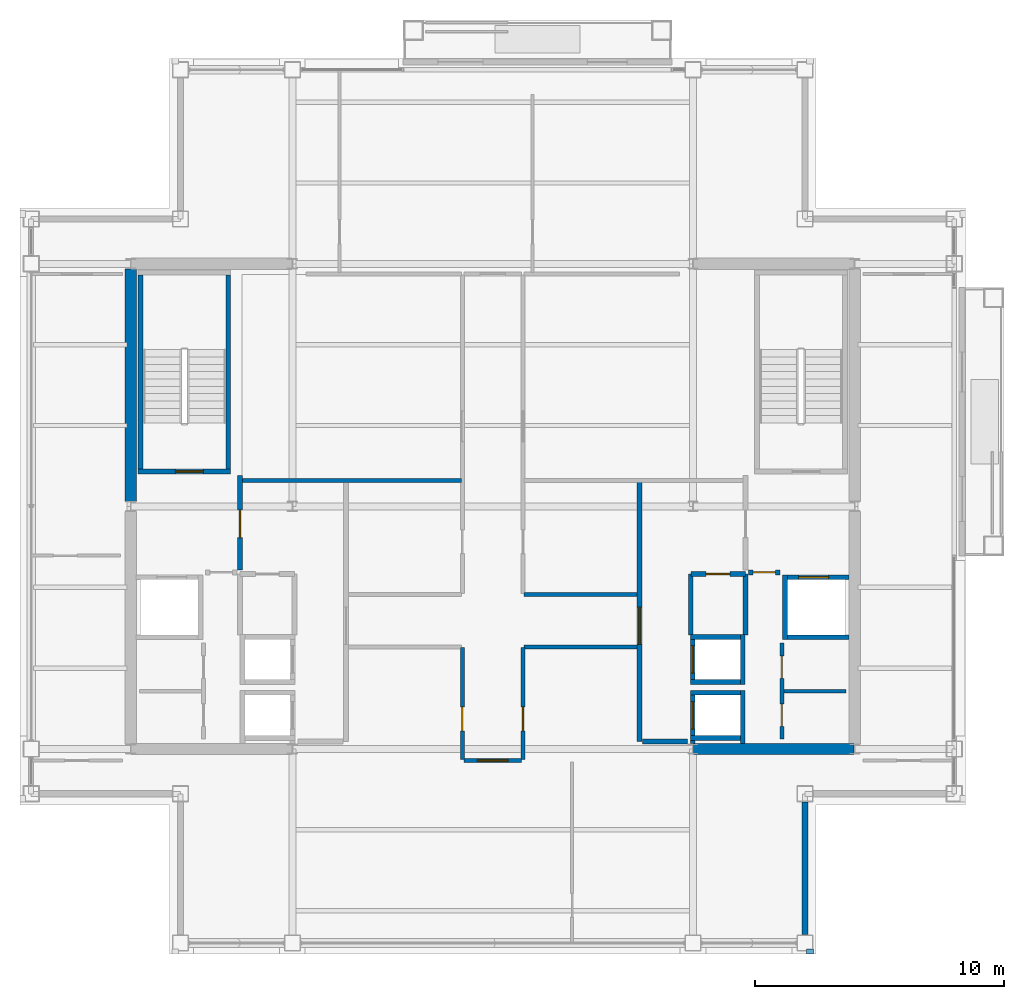
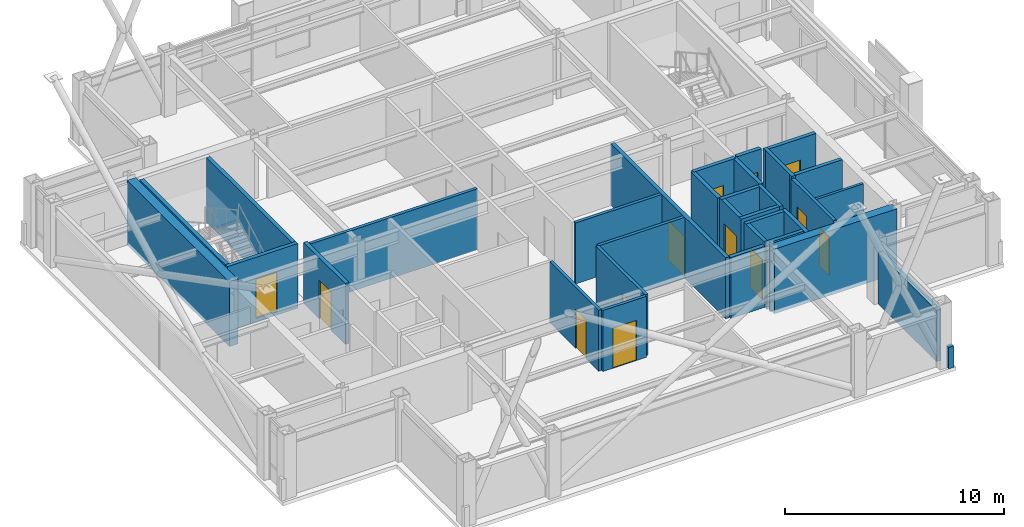
# One storey, part 24 of 28: 33 walls, 13 doors, 13 openings.
"""IFC4 building model written with IfcOpenShell, lengths in metres."""

from ifc_helpers import new_model, si_unit, direction, frame, frame_2d, origin, place, context, subcontext, project, spatial, rectangle, extrude, material, layer, layer_set, type_object, element, fill, save


model = new_model("IFC4")

# Units and contexts
model_context = context("Model", 3, precision=1e-05, world=origin(), true_north=direction((0.0, 1.0)))
body_context = subcontext(model_context, "Body", "Model", "MODEL_VIEW")
ifc_project = project(units=[si_unit("LENGTHUNIT", "METRE"), si_unit("AREAUNIT", "SQUARE_METRE"), si_unit("VOLUMEUNIT", "CUBIC_METRE"), si_unit("PLANEANGLEUNIT", "RADIAN"), si_unit("MASSUNIT", "GRAM", prefix="KILO")], contexts=[model_context])

# Site, building, storey
site_placement = place(None, origin())
site = spatial("IfcSite", under=ifc_project, at=site_placement, CompositionType="ELEMENT")
building_placement = place(site_placement, origin())
building = spatial("IfcBuilding", under=site, at=building_placement, Name="Brelmoor Portico Tower", CompositionType="ELEMENT")
storey_placement = place(building_placement, frame((0.0, 0.0, 225.60009765625)))
storey = spatial("IfcBuildingStorey", under=building, at=storey_placement, Name="L59", CompositionType="ELEMENT", Elevation=225.60009765625)

# Walls
ifc_material_1 = material(Name="Concrete C50", Category="concrete")
ifc_layer_1 = layer(ifc_material_1, 0.449951171875)
ifc_layer_set_1 = layer_set([ifc_layer_1], Name="Concrete C50")
wall_type_1 = type_object("IfcWallType", Name="WL-CORE-450", PredefinedType="SHEAR", material=ifc_layer_set_1)
wall_1_placement = place(storey_placement, frame((-14.550048828125, 0.199951171875, -0.2001953125), z_axis=(0.0, 0.0, 1.0), x_axis=(0.0, 1.0, 0.0)))
element("IfcWall", 1, at=wall_1_placement, inside=storey, type_object=wall_type_1, Name="L59 WC Outer North Shear Wall", PredefinedType="SHEAR", context=body_context, shape_type="SweptSolid", body=[
    extrude(rectangle(XDim=9.35009765625, YDim=0.449951171875, at=frame_2d((4.675048828125, 0.0))), origin(), (0.0, 0.0, 1.0), 3.60009765625),
])
wall_2_placement = place(storey_placement, frame((8.070068359375, -9.75, -0.2001953125), z_axis=(0.0, 0.0, 1.0), x_axis=(1.0, 0.0, 0.0)))
element("IfcWall", 2, at=wall_2_placement, inside=storey, type_object=wall_type_1, Name="L59 EC South Shear Wall", PredefinedType="SHEAR", context=body_context, shape_type="SweptSolid", body=[
    extrude(rectangle(XDim=6.4599609375, YDim=0.449951171875, at=frame_2d((3.22998046875, 0.0))), origin(), (0.0, 0.0, 1.0), 3.60009765625),
])
ifc_material_2 = material(Name="Precast Concrete C40 Insulated Facade Wall", Category="concrete")
ifc_layer_2 = layer(ifc_material_2, 0.25)
ifc_layer_set_2 = layer_set([ifc_layer_2], Name="Precast Concrete C40 Insulated Facade Wall")
wall_type_2 = type_object("IfcWallType", Name="WL-EXT-250", PredefinedType="STANDARD", material=ifc_layer_set_2)
wall_3_placement = place(storey_placement, frame((12.550048828125, -17.215087890625, 0.0), z_axis=(0.0, 0.0, 1.0), x_axis=(0.0, 1.0, 0.0)))
element("IfcWall", 3, at=wall_3_placement, inside=storey, type_object=wall_type_2, Name="L59 Corner Notch Facade Wall NSEV1", PredefinedType="STANDARD", context=body_context, shape_type="SweptSolid", body=[
    extrude(rectangle(XDim=5.330078125, YDim=0.25, at=frame_2d((2.6650390625, 0.0))), origin(), (0.0, 0.0, 1.0), 2.849853515625),
])
ifc_material_3 = material(Name="Concrete C40 Parapet Upstand", Category="concrete")
ifc_layer_3 = layer(ifc_material_3, 0.219970703125)
ifc_layer_set_3 = layer_set([ifc_layer_3], Name="Concrete C40 Parapet Upstand")
wall_type_3 = type_object("IfcWallType", Name="WL-PARAPET-220", PredefinedType="PARAPET", material=ifc_layer_set_3)
wall_4_placement = place(storey_placement, frame((12.6201171875, -17.889892578125, 0.0), z_axis=(0.0, 0.0, 1.0), x_axis=(1.0, 0.0, 0.0)))
element("IfcWall", 4, at=wall_4_placement, inside=storey, type_object=wall_type_3, Name="L59 Chamfer Vertex Parapet Pier SE1", PredefinedType="PARAPET", context=body_context, shape_type="SweptSolid", body=[
    extrude(rectangle(XDim=0.269775390625, YDim=0.219970703125, at=frame_2d((0.134765625, 0.0))), origin(), (0.0, 0.0, 1.0), 1.199951171875),
])
ifc_material_4 = material(Name="Insulated Stud Suite Partition", Category="gypsum")
ifc_layer_4 = layer(ifc_material_4, 0.139892578125)
ifc_layer_set_4 = layer_set([ifc_layer_4], Name="Insulated Stud Suite Partition")
wall_type_4 = type_object("IfcWallType", Name="WL-PART-140", PredefinedType="PARTITIONING", material=ifc_layer_set_4)
wall_5_placement = place(storey_placement, frame((11.699951171875, -7.425048828125, 0.0), z_axis=(0.0, 0.0, 1.0), x_axis=(1.0, 0.0, 0.0)))
element("IfcWall", 5, at=wall_5_placement, inside=storey, type_object=wall_type_4, Name="L59 E Core WC Divider 1", PredefinedType="PARTITIONING", context=body_context, shape_type="SweptSolid", body=[
    extrude(rectangle(XDim=2.5, YDim=0.139892578125, at=frame_2d((1.25, 0.0))), origin(), (0.0, 0.0, 1.0), 3.39990234375),
])

# Wall, openings, doors
ifc_material_5 = material(Name="Twin-Frame Acoustic Partition", Category="gypsum")
ifc_layer_5 = layer(ifc_material_5, 0.159912109375)
ifc_layer_set_5 = layer_set([ifc_layer_5], Name="Twin-Frame Acoustic Partition")
wall_type_5 = type_object("IfcWallType", Name="WL-PART-160", PredefinedType="PARTITIONING", material=ifc_layer_set_5)
wall_6_placement = place(storey_placement, frame((11.6201171875, -9.35009765625, 0.0), z_axis=(0.0, 0.0, 1.0), x_axis=(0.0, 1.0, 0.0)))
wall_6 = element("IfcWall", 6, at=wall_6_placement, inside=storey, type_object=wall_type_5, Name="L59 E Core Service Front Wall", PredefinedType="PARTITIONING", context=body_context, shape_type="SweptSolid", body=[
    extrude(rectangle(XDim=3.85009765625, YDim=0.159912109375, at=frame_2d((1.925048828125, 0.0))), origin(), (0.0, 0.0, 1.0), 3.39990234375),
])
opening_1_placement = place(wall_6_placement, frame((0.512451171875, 0.0, 0.0)))
opening_1 = element("IfcOpeningElement", 7, at=opening_1_placement, cuts=wall_6, Name="Opening D-IN1", PredefinedType="OPENING", context=body_context, shape_type="SweptSolid", body=[
    extrude(rectangle(XDim=0.89990234375, YDim=2.14990234375, at=frame_2d((0.449951171875, 1.074951171875))), frame((0.0, 0.08984375, 0.0), z_axis=(0.0, -1.0, 0.0), x_axis=(1.0, 0.0, 0.0)), (0.0, 0.0, 1.0), 0.179931640625),
])
opening_2_placement = place(wall_6_placement, frame((2.4375, 0.0, 0.0)))
opening_2 = element("IfcOpeningElement", 8, at=opening_2_placement, cuts=wall_6, Name="Opening D-IN1", PredefinedType="OPENING", context=body_context, shape_type="SweptSolid", body=[
    extrude(rectangle(XDim=0.89990234375, YDim=2.14990234375, at=frame_2d((0.449951171875, 1.074951171875))), frame((0.0, 0.08984375, 0.0), z_axis=(0.0, -1.0, 0.0), x_axis=(1.0, 0.0, 0.0)), (0.0, 0.0, 1.0), 0.179931640625),
])
ifc_material_6 = material(Name="Lacquered Timber Suite Door", Category="wood")
door_type_1 = type_object("IfcDoorType", Name="DR-INT-900", OperationType="NOTDEFINED", PredefinedType="DOOR", material=ifc_material_6)
door_1_placement = place(opening_1_placement, origin())
door_1 = element("IfcDoor", 9, at=door_1_placement, inside=storey, type_object=door_type_1, Name="D-2440 L59 E Male WC Door", OperationType="SINGLE_SWING_LEFT", OverallHeight=2.14990234375, OverallWidth=0.89990234375, PredefinedType="DOOR", context=body_context, shape_type="SweptSolid", body=[
    extrude(rectangle(XDim=0.89990234375, YDim=2.14990234375, at=frame_2d((0.449951171875, 1.074951171875))), frame((0.0, 0.02490234375, 0.0), z_axis=(0.0, -1.0, 0.0), x_axis=(1.0, 0.0, 0.0)), (0.0, 0.0, 1.0), 0.050048828125),
])
fill(opening_1, door_1)
door_2_placement = place(opening_2_placement, origin())
door_2 = element("IfcDoor", 10, at=door_2_placement, inside=storey, type_object=door_type_1, Name="D-2441 L59 E Female WC Door", OperationType="SINGLE_SWING_RIGHT", OverallHeight=2.14990234375, OverallWidth=0.89990234375, PredefinedType="DOOR", context=body_context, shape_type="SweptSolid", body=[
    extrude(rectangle(XDim=0.89990234375, YDim=2.14990234375, at=frame_2d((0.449951171875, 1.074951171875))), frame((0.0, 0.02490234375, 0.0), z_axis=(0.0, -1.0, 0.0), x_axis=(1.0, 0.0, 0.0)), (0.0, 0.0, 1.0), 0.050048828125),
])
fill(opening_2, door_2)

# Walls
wall_7_placement = place(storey_placement, frame((-10.050048828125, 1.050048828125, 0.0), z_axis=(0.0, 0.0, 1.0), x_axis=(1.0, 0.0, 0.0)))
element("IfcWall", 11, at=wall_7_placement, inside=storey, type_object=wall_type_5, Name="L59 West Reclaimed Suite South Wall", PredefinedType="PARTITIONING", context=body_context, shape_type="SweptSolid", body=[
    extrude(rectangle(XDim=8.7900390625, YDim=0.159912109375, at=frame_2d((4.39501953125, 0.0))), origin(), (0.0, 0.0, 1.0), 3.39990234375),
])
wall_8_placement = place(storey_placement, frame((1.260009765625, -3.550048828125, 0.0), z_axis=(0.0, 0.0, 1.0), x_axis=(1.0, 0.0, 0.0)))
element("IfcWall", 12, at=wall_8_placement, inside=storey, type_object=wall_type_5, Name="L59 East Office South Wall", PredefinedType="PARTITIONING", context=body_context, shape_type="SweptSolid", body=[
    extrude(rectangle(XDim=4.5400390625, YDim=0.159912109375, at=frame_2d((2.27001953125, 0.0))), origin(), (0.0, 0.0, 1.0), 3.39990234375),
])

# Wall, opening, door
wall_9_placement = place(storey_placement, frame((-1.219970703125, -10.169921875, 0.0), z_axis=(0.0, 0.0, 1.0), x_axis=(0.0, 1.0, 0.0)))
wall_9 = element("IfcWall", 13, at=wall_9_placement, inside=storey, type_object=wall_type_5, Name="L59 South Cross West Wall", PredefinedType="PARTITIONING", context=body_context, shape_type="SweptSolid", body=[
    extrude(rectangle(XDim=4.489990234375, YDim=0.159912109375, at=frame_2d((2.2451171875, 0.0))), origin(), (0.0, 0.0, 1.0), 3.39990234375),
])
opening_3_placement = place(wall_9_placement, frame((1.14990234375, 0.0, 0.0)))
opening_3 = element("IfcOpeningElement", 14, at=opening_3_placement, cuts=wall_9, Name="Opening D-IN2", PredefinedType="OPENING", context=body_context, shape_type="SweptSolid", body=[
    extrude(rectangle(XDim=0.9599609375, YDim=2.179931640625, at=frame_2d((0.47998046875, 1.08984375))), frame((0.0, 0.08984375, 0.0), z_axis=(0.0, -1.0, 0.0), x_axis=(1.0, 0.0, 0.0)), (0.0, 0.0, 1.0), 0.179931640625),
])
door_type_2 = type_object("IfcDoorType", Name="DR-INT-950", OperationType="NOTDEFINED", PredefinedType="DOOR", material=ifc_material_6)
door_3_placement = place(opening_3_placement, origin())
door_3 = element("IfcDoor", 15, at=door_3_placement, inside=storey, type_object=door_type_2, Name="D-2437 L59 South-West Archive Room Door", OperationType="SINGLE_SWING_LEFT", OverallHeight=2.179931640625, OverallWidth=0.9599609375, PredefinedType="DOOR", context=body_context, shape_type="SweptSolid", body=[
    extrude(rectangle(XDim=0.9599609375, YDim=2.179931640625, at=frame_2d((0.47998046875, 1.08984375))), frame((0.0, 0.02490234375, 0.0), z_axis=(0.0, -1.0, 0.0), x_axis=(1.0, 0.0, 0.0)), (0.0, 0.0, 1.0), 0.050048828125),
])
fill(opening_3, door_3)

wall_10_placement = place(storey_placement, frame((1.219970703125, -10.169921875, 0.0), z_axis=(0.0, 0.0, 1.0), x_axis=(0.0, 1.0, 0.0)))
wall_10 = element("IfcWall", 16, at=wall_10_placement, inside=storey, type_object=wall_type_5, Name="L59 South Cross East Wall", PredefinedType="PARTITIONING", context=body_context, shape_type="SweptSolid", body=[
    extrude(rectangle(XDim=4.489990234375, YDim=0.159912109375, at=frame_2d((2.2451171875, 0.0))), origin(), (0.0, 0.0, 1.0), 3.39990234375),
])
opening_4_placement = place(wall_10_placement, frame((1.14990234375, 0.0, 0.0)))
opening_4 = element("IfcOpeningElement", 17, at=opening_4_placement, cuts=wall_10, Name="Opening D-IN2", PredefinedType="OPENING", context=body_context, shape_type="SweptSolid", body=[
    extrude(rectangle(XDim=0.9599609375, YDim=2.179931640625, at=frame_2d((0.47998046875, 1.08984375))), frame((0.0, 0.08984375, 0.0), z_axis=(0.0, -1.0, 0.0), x_axis=(1.0, 0.0, 0.0)), (0.0, 0.0, 1.0), 0.179931640625),
])
door_4_placement = place(opening_4_placement, origin())
door_4 = element("IfcDoor", 18, at=door_4_placement, inside=storey, type_object=door_type_2, Name="D-2436 L59 South-East Partner Office Door", OperationType="SINGLE_SWING_RIGHT", OverallHeight=2.179931640625, OverallWidth=0.9599609375, PredefinedType="DOOR", context=body_context, shape_type="SweptSolid", body=[
    extrude(rectangle(XDim=0.9599609375, YDim=2.179931640625, at=frame_2d((0.47998046875, 1.08984375))), frame((0.0, 0.02490234375, 0.0), z_axis=(0.0, -1.0, 0.0), x_axis=(1.0, 0.0, 0.0)), (0.0, 0.0, 1.0), 0.050048828125),
])
fill(opening_4, door_4)

# Wall
wall_11_placement = place(storey_placement, frame((1.260009765625, -5.64990234375, 0.0), z_axis=(0.0, 0.0, 1.0), x_axis=(1.0, 0.0, 0.0)))
element("IfcWall", 19, at=wall_11_placement, inside=storey, type_object=wall_type_5, Name="L59 South-East Chamber Top Wall", PredefinedType="PARTITIONING", context=body_context, shape_type="SweptSolid", body=[
    extrude(rectangle(XDim=4.5400390625, YDim=0.159912109375, at=frame_2d((2.27001953125, 0.0))), origin(), (0.0, 0.0, 1.0), 3.39990234375),
])

# Wall, opening, door
wall_12_placement = place(storey_placement, frame((-1.14990234375, -10.2099609375, 0.0), z_axis=(0.0, 0.0, 1.0), x_axis=(1.0, 0.0, 0.0)))
wall_12 = element("IfcWall", 20, at=wall_12_placement, inside=storey, type_object=wall_type_5, Name="L59 South Corridor Partition", PredefinedType="PARTITIONING", context=body_context, shape_type="SweptSolid", body=[
    extrude(rectangle(XDim=2.2998046875, YDim=0.159912109375, at=frame_2d((1.14990234375, 0.0))), origin(), (0.0, 0.0, 1.0), 3.39990234375),
])
opening_5_placement = place(wall_12_placement, frame((0.530029296875, 0.0, 0.0)))
opening_5 = element("IfcOpeningElement", 21, at=opening_5_placement, cuts=wall_12, Name="Opening D-SU1", PredefinedType="OPENING", context=body_context, shape_type="SweptSolid", body=[
    extrude(rectangle(XDim=1.239990234375, YDim=2.239990234375, at=frame_2d((0.6201171875, 1.1201171875))), frame((0.0, 0.08984375, 0.0), z_axis=(0.0, -1.0, 0.0), x_axis=(1.0, 0.0, 0.0)), (0.0, 0.0, 1.0), 0.179931640625),
])
ifc_material_7 = material(Name="Glazed Timber Executive Suite Door", Category="wood")
door_type_3 = type_object("IfcDoorType", Name="DR-SUITE-1200", OperationType="NOTDEFINED", PredefinedType="DOOR", material=ifc_material_7)
door_5_placement = place(opening_5_placement, origin())
door_5 = element("IfcDoor", 22, at=door_5_placement, inside=storey, type_object=door_type_3, Name="D-2457 L59 South Executive Study 1 Door", OperationType="SINGLE_SWING_LEFT", OverallHeight=2.239990234375, OverallWidth=1.239990234375, PredefinedType="DOOR", context=body_context, shape_type="SweptSolid", body=[
    extrude(rectangle(XDim=1.239990234375, YDim=2.239990234375, at=frame_2d((0.6201171875, 1.1201171875))), frame((0.0, 0.02490234375, 0.0), z_axis=(0.0, -1.0, 0.0), x_axis=(1.0, 0.0, 0.0)), (0.0, 0.0, 1.0), 0.050048828125),
])
fill(opening_5, door_5)

ifc_material_8 = material(Name="Double-Stud Gypsum Fire Partition", Category="gypsum")
ifc_layer_6 = layer(ifc_material_8, 0.199951171875)
ifc_layer_set_6 = layer_set([ifc_layer_6], Name="Double-Stud Gypsum Fire Partition")
wall_type_6 = type_object("IfcWallType", Name="WL-PART-200", PredefinedType="PARTITIONING", material=ifc_layer_set_6)
wall_13_placement = place(storey_placement, frame((-10.159912109375, -2.550048828125, 0.0), z_axis=(0.0, 0.0, 1.0), x_axis=(0.0, 1.0, 0.0)))
wall_13 = element("IfcWall", 23, at=wall_13_placement, inside=storey, type_object=wall_type_6, Name="L59 W Firefighting Lobby Wall", PredefinedType="PARTITIONING", context=body_context, shape_type="SweptSolid", body=[
    extrude(rectangle(XDim=3.800048828125, YDim=0.199951171875, at=frame_2d((1.89990234375, 0.0))), origin(), (0.0, 0.0, 1.0), 3.39990234375),
])
opening_6_placement = place(wall_13_placement, frame((1.300048828125, 0.0, 0.0)))
opening_6 = element("IfcOpeningElement", 24, at=opening_6_placement, cuts=wall_13, Name="Opening D-FR1", PredefinedType="OPENING", context=body_context, shape_type="SweptSolid", body=[
    extrude(rectangle(XDim=1.10009765625, YDim=2.14990234375, at=frame_2d((0.550048828125, 1.074951171875))), frame((0.0, 0.10986328125, 0.0), z_axis=(0.0, -1.0, 0.0), x_axis=(1.0, 0.0, 0.0)), (0.0, 0.0, 1.0), 0.219970703125),
])
ifc_material_9 = material(Name="Painted Galvanised Steel Fire Door", Category="steel")
door_type_4 = type_object("IfcDoorType", Name="DR-FIRE-1100", OperationType="NOTDEFINED", PredefinedType="DOOR", material=ifc_material_9)
door_6_placement = place(opening_6_placement, origin())
door_6 = element("IfcDoor", 25, at=door_6_placement, inside=storey, type_object=door_type_4, Name="D-2449 L59 W Firefighting Lobby Door", OperationType="SINGLE_SWING_LEFT", OverallHeight=2.14990234375, OverallWidth=1.10009765625, PredefinedType="DOOR", context=body_context, shape_type="SweptSolid", body=[
    extrude(rectangle(XDim=1.10009765625, YDim=2.14990234375, at=frame_2d((0.550048828125, 1.074951171875))), frame((0.0, 0.02490234375, 0.0), z_axis=(0.0, -1.0, 0.0), x_axis=(1.0, 0.0, 0.0)), (0.0, 0.0, 1.0), 0.050048828125),
])
fill(opening_6, door_6)

wall_14_placement = place(storey_placement, frame((5.89990234375, -9.449951171875, 0.0), z_axis=(0.0, 0.0, 1.0), x_axis=(0.0, 1.0, 0.0)))
wall_14 = element("IfcWall", 26, at=wall_14_placement, inside=storey, type_object=wall_type_6, Name="L59 E Core Lobby Compartment Wall", PredefinedType="PARTITIONING", context=body_context, shape_type="SweptSolid", body=[
    extrude(rectangle(XDim=10.5, YDim=0.199951171875, at=frame_2d((5.25, 0.0))), origin(), (0.0, 0.0, 1.0), 3.39990234375),
])
opening_7_placement = place(wall_14_placement, frame((3.89990234375, 0.0, 0.0)))
opening_7 = element("IfcOpeningElement", 27, at=opening_7_placement, cuts=wall_14, Name="Opening D-LB1", PredefinedType="OPENING", context=body_context, shape_type="SweptSolid", body=[
    extrude(rectangle(XDim=1.5, YDim=2.199951171875, at=frame_2d((0.75, 1.10009765625))), frame((0.0, 0.10986328125, 0.0), z_axis=(0.0, -1.0, 0.0), x_axis=(1.0, 0.0, 0.0)), (0.0, 0.0, 1.0), 0.219970703125),
])
ifc_material_10 = material(Name="Double-Leaf Glazed Steel Fire Door", Category="steel")
door_type_5 = type_object("IfcDoorType", Name="DR-LOBBY-1500", OperationType="NOTDEFINED", PredefinedType="DOOR", material=ifc_material_10)
door_7_placement = place(opening_7_placement, origin())
door_7 = element("IfcDoor", 28, at=door_7_placement, inside=storey, type_object=door_type_5, Name="D-2450 L59 E Lift Lobby Main Door", OperationType="DOUBLE_DOOR_SINGLE_SWING", OverallHeight=2.199951171875, OverallWidth=1.5, PredefinedType="DOOR", context=body_context, shape_type="SweptSolid", body=[
    extrude(rectangle(XDim=1.5, YDim=2.199951171875, at=frame_2d((0.75, 1.10009765625))), frame((0.0, 0.02490234375, 0.0), z_axis=(0.0, -1.0, 0.0), x_axis=(1.0, 0.0, 0.0)), (0.0, 0.0, 1.0), 0.050048828125),
])
fill(opening_7, door_7)

# Wall
wall_15_placement = place(storey_placement, frame((6.02001953125, -9.449951171875, 0.0), z_axis=(0.0, 0.0, 1.0), x_axis=(1.0, 0.0, 0.0)))
element("IfcWall", 29, at=wall_15_placement, inside=storey, type_object=wall_type_6, Name="L59 E Lift Lobby South End Wall", PredefinedType="PARTITIONING", context=body_context, shape_type="SweptSolid", body=[
    extrude(rectangle(XDim=1.800048828125, YDim=0.199951171875, at=frame_2d((0.89990234375, 0.0))), origin(), (0.0, 0.0, 1.0), 3.39990234375),
])

# Wall, opening, door
wall_16_placement = place(storey_placement, frame((10.280029296875, -2.64990234375, 0.0), z_axis=(0.0, 0.0, 1.0), x_axis=(1.0, 0.0, 0.0)))
wall_16 = element("IfcWall", 30, at=wall_16_placement, inside=storey, type_object=wall_type_6, Name="L59 E Firefighting Lobby South Wall", PredefinedType="PARTITIONING", context=body_context, shape_type="SweptSolid", body=[
    extrude(rectangle(XDim=1.27001953125, YDim=0.199951171875, at=frame_2d((0.635009765625, 0.0))), origin(), (0.0, 0.0, 1.0), 3.39990234375),
])
opening_8_placement = place(wall_16_placement, frame((0.18505859375, 0.0, 0.0)))
opening_8 = element("IfcOpeningElement", 31, at=opening_8_placement, cuts=wall_16, Name="Opening D-IN1", PredefinedType="OPENING", context=body_context, shape_type="SweptSolid", body=[
    extrude(rectangle(XDim=0.89990234375, YDim=2.14990234375, at=frame_2d((0.449951171875, 1.074951171875))), frame((0.0, 0.10986328125, 0.0), z_axis=(0.0, -1.0, 0.0), x_axis=(1.0, 0.0, 0.0)), (0.0, 0.0, 1.0), 0.219970703125),
])
door_8_placement = place(opening_8_placement, origin())
door_8 = element("IfcDoor", 32, at=door_8_placement, inside=storey, type_object=door_type_1, Name="D-2442 L59 E Core Service Vestibule Door", OperationType="SINGLE_SWING_LEFT", OverallHeight=2.14990234375, OverallWidth=0.89990234375, PredefinedType="DOOR", context=body_context, shape_type="SweptSolid", body=[
    extrude(rectangle(XDim=0.89990234375, YDim=2.14990234375, at=frame_2d((0.449951171875, 1.074951171875))), frame((0.0, 0.02490234375, 0.0), z_axis=(0.0, -1.0, 0.0), x_axis=(1.0, 0.0, 0.0)), (0.0, 0.0, 1.0), 0.050048828125),
])
fill(opening_8, door_8)

wall_17_placement = place(storey_placement, frame((7.9599609375, -2.719970703125, 0.0), z_axis=(0.0, 0.0, 1.0), x_axis=(1.0, 0.0, 0.0)))
wall_17 = element("IfcWall", 33, at=wall_17_placement, inside=storey, type_object=wall_type_6, Name="L59 E Electrical Switchgear Closet Wall", PredefinedType="PARTITIONING", context=body_context, shape_type="SweptSolid", body=[
    extrude(rectangle(XDim=2.199951171875, YDim=0.199951171875, at=frame_2d((1.10009765625, 0.0))), origin(), (0.0, 0.0, 1.0), 3.39990234375),
])
opening_9_placement = place(wall_17_placement, frame((0.6201171875, 0.0, 0.0)))
opening_9 = element("IfcOpeningElement", 34, at=opening_9_placement, cuts=wall_17, Name="Opening D-FR4", PredefinedType="OPENING", context=body_context, shape_type="SweptSolid", body=[
    extrude(rectangle(XDim=0.949951171875, YDim=2.10009765625, at=frame_2d((0.47509765625, 1.050048828125))), frame((0.0, 0.10986328125, 0.0), z_axis=(0.0, -1.0, 0.0), x_axis=(1.0, 0.0, 0.0)), (0.0, 0.0, 1.0), 0.219970703125),
])
ifc_material_11 = material(Name="Painted Galvanised Steel Riser Door", Category="steel")
door_type_6 = type_object("IfcDoorType", Name="DR-FIRE-950", OperationType="NOTDEFINED", PredefinedType="DOOR", material=ifc_material_11)
door_9_placement = place(opening_9_placement, origin())
door_9 = element("IfcDoor", 35, at=door_9_placement, inside=storey, type_object=door_type_6, Name="D-2446 L59 E Electrical Switchgear Closet Door", OperationType="SINGLE_SWING_RIGHT", OverallHeight=2.10009765625, OverallWidth=0.949951171875, PredefinedType="DOOR", context=body_context, shape_type="SweptSolid", body=[
    extrude(rectangle(XDim=0.949951171875, YDim=2.10009765625, at=frame_2d((0.47509765625, 1.050048828125))), frame((0.0, 0.02490234375, 0.0), z_axis=(0.0, -1.0, 0.0), x_axis=(1.0, 0.0, 0.0)), (0.0, 0.0, 1.0), 0.050048828125),
])
fill(opening_9, door_9)

# Walls
for number, where, z_axis, x_axis, name in (
    (36, (7.9599609375, -5.159912109375, 0.0), (0.0, 0.0, 1.0), (0.0, 1.0, 0.0), "L59 E Electrical Switchgear Closet Inner Wall"),
    (37, (10.159912109375, -5.159912109375, 0.0), (0.0, 0.0, 1.0), (0.0, 1.0, 0.0), "L59 E Electrical Switchgear Closet Outer Wall"),
):
    element("IfcWall", number, at=place(storey_placement, frame(where, z_axis=z_axis, x_axis=x_axis)), inside=storey, type_object=wall_type_6, Name=name, PredefinedType="PARTITIONING", context=body_context, shape_type="SweptSolid", body=[
        extrude(rectangle(XDim=2.43994140625, YDim=0.199951171875, at=frame_2d((1.219970703125, 0.0))), origin(), (0.0, 0.0, 1.0), 3.39990234375),
    ])

# Wall, opening, door
ifc_material_12 = material(Name="Precast Concrete C40", Category="concrete")
ifc_layer_7 = layer(ifc_material_12, 0.18994140625)
ifc_layer_set_7 = layer_set([ifc_layer_7], Name="Precast Concrete C40")
wall_type_7 = type_object("IfcWallType", Name="WL-SHAFT-180", PredefinedType="SOLIDWALL", material=ifc_layer_set_7)
wall_18_placement = place(storey_placement, frame((8.044921875, -9.52001953125, -0.2001953125), z_axis=(0.0, 0.0, 1.0), x_axis=(0.0, 1.0, 0.0)))
wall_18 = element("IfcWall", 38, at=wall_18_placement, inside=storey, type_object=wall_type_7, Name="L59 Lift PH3 Hoistway Front Wall", PredefinedType="SOLIDWALL", context=body_context, shape_type="SweptSolid", body=[
    extrude(rectangle(XDim=2.1201171875, YDim=0.18994140625, at=frame_2d((1.06005859375, 0.0))), origin(), (0.0, 0.0, 1.0), 3.60009765625),
])
opening_10_placement = place(wall_18_placement, frame((0.570068359375, 0.0, 0.199951171875)))
opening_10 = element("IfcOpeningElement", 39, at=opening_10_placement, cuts=wall_18, Name="Opening LD-01", PredefinedType="OPENING", context=body_context, shape_type="SweptSolid", body=[
    extrude(rectangle(XDim=1.10009765625, YDim=2.199951171875, at=frame_2d((0.550048828125, 1.10009765625))), frame((0.0, 0.10498046875, 0.0), z_axis=(0.0, -1.0, 0.0), x_axis=(1.0, 0.0, 0.0)), (0.0, 0.0, 1.0), 0.2099609375),
])
ifc_material_13 = material(Name="Brushed Stainless Steel Sliding Lift Door", Category="steel")
door_type_7 = type_object("IfcDoorType", Name="DR-LIFT-1100", OperationType="NOTDEFINED", PredefinedType="DOOR", material=ifc_material_13)
door_10_placement = place(opening_10_placement, origin())
door_10 = element("IfcDoor", 40, at=door_10_placement, inside=storey, type_object=door_type_7, Name="D-2470 L59 Lift PH3 Sliding Landing Door", OperationType="SLIDING_TO_LEFT", OverallHeight=2.199951171875, OverallWidth=1.10009765625, PredefinedType="DOOR", context=body_context, shape_type="SweptSolid", body=[
    extrude(rectangle(XDim=1.10009765625, YDim=2.199951171875, at=frame_2d((0.550048828125, 1.10009765625))), frame((0.0, 0.02490234375, 0.0), z_axis=(0.0, -1.0, 0.0), x_axis=(1.0, 0.0, 0.0)), (0.0, 0.0, 1.0), 0.050048828125),
])
fill(opening_10, door_10)

# Walls
wall_19_placement = place(storey_placement, frame((10.054931640625, -9.52001953125, -0.2001953125), z_axis=(0.0, 0.0, 1.0), x_axis=(0.0, 1.0, 0.0)))
element("IfcWall", 41, at=wall_19_placement, inside=storey, type_object=wall_type_7, Name="L59 Lift PH3 Hoistway Back Wall", PredefinedType="SOLIDWALL", context=body_context, shape_type="SweptSolid", body=[
    extrude(rectangle(XDim=2.1201171875, YDim=0.18994140625, at=frame_2d((1.06005859375, 0.0))), origin(), (0.0, 0.0, 1.0), 3.60009765625),
])
for number, where, z_axis, x_axis, name in (
    (42, (7.949951171875, -7.4951171875, -0.2001953125), (0.0, 0.0, 1.0), (1.0, 0.0, 0.0), "L59 Lift PH3 Hoistway North Wall"),
    (43, (7.949951171875, -9.304931640625, -0.2001953125), (0.0, 0.0, 1.0), (1.0, 0.0, 0.0), "L59 Lift PH3 Hoistway South Wall"),
):
    element("IfcWall", number, at=place(storey_placement, frame(where, z_axis=z_axis, x_axis=x_axis)), inside=storey, type_object=wall_type_7, Name=name, PredefinedType="SOLIDWALL", context=body_context, shape_type="SweptSolid", body=[
        extrude(rectangle(XDim=2.199951171875, YDim=0.18994140625, at=frame_2d((1.10009765625, 0.0))), origin(), (0.0, 0.0, 1.0), 3.60009765625),
    ])

# Wall, opening, door
wall_20_placement = place(storey_placement, frame((8.044921875, -7.14990234375, -0.2001953125), z_axis=(0.0, 0.0, 1.0), x_axis=(0.0, 1.0, 0.0)))
wall_20 = element("IfcWall", 44, at=wall_20_placement, inside=storey, type_object=wall_type_7, Name="L59 Lift PH4 Hoistway Front Wall", PredefinedType="SOLIDWALL", context=body_context, shape_type="SweptSolid", body=[
    extrude(rectangle(XDim=2.0, YDim=0.18994140625, at=frame_2d((1.0, 0.0))), origin(), (0.0, 0.0, 1.0), 3.60009765625),
])
opening_11_placement = place(wall_20_placement, frame((0.449951171875, 0.0, 0.199951171875)))
opening_11 = element("IfcOpeningElement", 45, at=opening_11_placement, cuts=wall_20, Name="Opening LD-01", PredefinedType="OPENING", context=body_context, shape_type="SweptSolid", body=[
    extrude(rectangle(XDim=1.10009765625, YDim=2.199951171875, at=frame_2d((0.550048828125, 1.10009765625))), frame((0.0, 0.10498046875, 0.0), z_axis=(0.0, -1.0, 0.0), x_axis=(1.0, 0.0, 0.0)), (0.0, 0.0, 1.0), 0.2099609375),
])
door_11_placement = place(opening_11_placement, origin())
door_11 = element("IfcDoor", 46, at=door_11_placement, inside=storey, type_object=door_type_7, Name="D-2471 L59 Lift PH4 Sliding Landing Door", OperationType="SLIDING_TO_LEFT", OverallHeight=2.199951171875, OverallWidth=1.10009765625, PredefinedType="DOOR", context=body_context, shape_type="SweptSolid", body=[
    extrude(rectangle(XDim=1.10009765625, YDim=2.199951171875, at=frame_2d((0.550048828125, 1.10009765625))), frame((0.0, 0.02490234375, 0.0), z_axis=(0.0, -1.0, 0.0), x_axis=(1.0, 0.0, 0.0)), (0.0, 0.0, 1.0), 0.050048828125),
])
fill(opening_11, door_11)

# Walls
wall_21_placement = place(storey_placement, frame((10.054931640625, -7.14990234375, -0.2001953125), z_axis=(0.0, 0.0, 1.0), x_axis=(0.0, 1.0, 0.0)))
element("IfcWall", 47, at=wall_21_placement, inside=storey, type_object=wall_type_7, Name="L59 Lift PH4 Hoistway Back Wall", PredefinedType="SOLIDWALL", context=body_context, shape_type="SweptSolid", body=[
    extrude(rectangle(XDim=2.0, YDim=0.18994140625, at=frame_2d((1.0, 0.0))), origin(), (0.0, 0.0, 1.0), 3.60009765625),
])
for number, where, z_axis, x_axis, name in (
    (48, (7.949951171875, -5.2451171875, -0.2001953125), (0.0, 0.0, 1.0), (1.0, 0.0, 0.0), "L59 Lift PH4 Hoistway North Wall"),
    (49, (7.949951171875, -7.054931640625, -0.2001953125), (0.0, 0.0, 1.0), (1.0, 0.0, 0.0), "L59 Lift PH4 Hoistway South Wall"),
):
    element("IfcWall", number, at=place(storey_placement, frame(where, z_axis=z_axis, x_axis=x_axis)), inside=storey, type_object=wall_type_7, Name=name, PredefinedType="SOLIDWALL", context=body_context, shape_type="SweptSolid", body=[
        extrude(rectangle(XDim=2.199951171875, YDim=0.18994140625, at=frame_2d((1.10009765625, 0.0))), origin(), (0.0, 0.0, 1.0), 3.60009765625),
    ])

# Wall, opening, door
wall_22_placement = place(storey_placement, frame((11.64990234375, -2.844970703125, -0.2001953125), z_axis=(0.0, 0.0, 1.0), x_axis=(1.0, 0.0, 0.0)))
wall_22 = element("IfcWall", 50, at=wall_22_placement, inside=storey, type_object=wall_type_7, Name="L59 Lift FF2 Hoistway Front Wall", PredefinedType="SOLIDWALL", context=body_context, shape_type="SweptSolid", body=[
    extrude(rectangle(XDim=2.68017578125, YDim=0.18994140625, at=frame_2d((1.340087890625, 0.0))), origin(), (0.0, 0.0, 1.0), 3.60009765625),
])
opening_12_placement = place(wall_22_placement, frame((0.64990234375, 0.0, 0.199951171875)))
opening_12 = element("IfcOpeningElement", 51, at=opening_12_placement, cuts=wall_22, Name="Opening LD-02", PredefinedType="OPENING", context=body_context, shape_type="SweptSolid", body=[
    extrude(rectangle(XDim=1.199951171875, YDim=2.199951171875, at=frame_2d((0.60009765625, 1.10009765625))), frame((0.0, 0.10498046875, 0.0), z_axis=(0.0, -1.0, 0.0), x_axis=(1.0, 0.0, 0.0)), (0.0, 0.0, 1.0), 0.2099609375),
])
ifc_material_14 = material(Name="Brushed Stainless Steel Firefighting Lift Door", Category="steel")
door_type_8 = type_object("IfcDoorType", Name="DR-LIFT-1200", OperationType="NOTDEFINED", PredefinedType="DOOR", material=ifc_material_14)
door_12_placement = place(opening_12_placement, origin())
door_12 = element("IfcDoor", 52, at=door_12_placement, inside=storey, type_object=door_type_8, Name="D-2467 L59 Lift FF2 Sliding Landing Door", OperationType="SLIDING_TO_LEFT", OverallHeight=2.199951171875, OverallWidth=1.199951171875, PredefinedType="DOOR", context=body_context, shape_type="SweptSolid", body=[
    extrude(rectangle(XDim=1.199951171875, YDim=2.199951171875, at=frame_2d((0.60009765625, 1.10009765625))), frame((0.0, 0.02490234375, 0.0), z_axis=(0.0, -1.0, 0.0), x_axis=(1.0, 0.0, 0.0)), (0.0, 0.0, 1.0), 0.050048828125),
])
fill(opening_12, door_12)

# Walls
wall_23_placement = place(storey_placement, frame((11.64990234375, -5.2548828125, -0.2001953125), z_axis=(0.0, 0.0, 1.0), x_axis=(1.0, 0.0, 0.0)))
element("IfcWall", 53, at=wall_23_placement, inside=storey, type_object=wall_type_7, Name="L59 Firefighting Lift FF2 South Wall", PredefinedType="SOLIDWALL", context=body_context, shape_type="SweptSolid", body=[
    extrude(rectangle(XDim=2.68017578125, YDim=0.18994140625, at=frame_2d((1.340087890625, 0.0))), origin(), (0.0, 0.0, 1.0), 3.60009765625),
])
wall_24_placement = place(storey_placement, frame((11.7451171875, -5.35009765625, -0.2001953125), z_axis=(0.0, 0.0, 1.0), x_axis=(0.0, 1.0, 0.0)))
element("IfcWall", 54, at=wall_24_placement, inside=storey, type_object=wall_type_7, Name="L59 Firefighting Lift FF2 Inner Wall", PredefinedType="SOLIDWALL", context=body_context, shape_type="SweptSolid", body=[
    extrude(rectangle(XDim=2.60009765625, YDim=0.18994140625, at=frame_2d((1.300048828125, 0.0))), origin(), (0.0, 0.0, 1.0), 3.60009765625),
])
ifc_material_15 = material(Name="Concrete C40", Category="concrete")
ifc_layer_8 = layer(ifc_material_15, 0.199951171875)
ifc_layer_set_8 = layer_set([ifc_layer_8], Name="Concrete C40")
wall_type_8 = type_object("IfcWallType", Name="WL-SHAFT-RC200", PredefinedType="SOLIDWALL", material=ifc_layer_set_8)
wall_25_placement = place(storey_placement, frame((-14.14990234375, 1.5, -0.2001953125), z_axis=(0.0, 0.0, 1.0), x_axis=(0.0, 1.0, 0.0)))
element("IfcWall", 55, at=wall_25_placement, inside=storey, type_object=wall_type_8, Name="L59 ST-W Structural Stair Wall Outer", PredefinedType="SOLIDWALL", context=body_context, shape_type="SweptSolid", body=[
    extrude(rectangle(XDim=7.800048828125, YDim=0.199951171875, at=frame_2d((3.89990234375, 0.0))), origin(), (0.0, 0.0, 1.0), 3.60009765625),
])

# Wall, opening, door
wall_26_placement = place(storey_placement, frame((-14.25, 1.39990234375, -0.2001953125), z_axis=(0.0, 0.0, 1.0), x_axis=(1.0, 0.0, 0.0)))
wall_26 = element("IfcWall", 56, at=wall_26_placement, inside=storey, type_object=wall_type_8, Name="L59 ST-W Structural Stair Wall S", PredefinedType="SOLIDWALL", context=body_context, shape_type="SweptSolid", body=[
    extrude(rectangle(XDim=3.719970703125, YDim=0.199951171875, at=frame_2d((1.85986328125, 0.0))), origin(), (0.0, 0.0, 1.0), 3.60009765625),
])
opening_13_placement = place(wall_26_placement, frame((1.5, 0.0, 0.199951171875)))
opening_13 = element("IfcOpeningElement", 57, at=opening_13_placement, cuts=wall_26, Name="Opening D-ST1", PredefinedType="OPENING", context=body_context, shape_type="SweptSolid", body=[
    extrude(rectangle(XDim=1.1201171875, YDim=2.179931640625, at=frame_2d((0.56005859375, 1.08984375))), frame((0.0, 0.10986328125, 0.0), z_axis=(0.0, -1.0, 0.0), x_axis=(1.0, 0.0, 0.0)), (0.0, 0.0, 1.0), 0.219970703125),
])
door_type_9 = type_object("IfcDoorType", Name="DR-STAIR-1100", OperationType="NOTDEFINED", PredefinedType="DOOR", material=ifc_material_9)
door_13_placement = place(opening_13_placement, origin())
door_13 = element("IfcDoor", 58, at=door_13_placement, inside=storey, type_object=door_type_9, Name="D-2460 L59 ST-W Protected Exit Stair Door", OperationType="SINGLE_SWING_LEFT", OverallHeight=2.179931640625, OverallWidth=1.1201171875, PredefinedType="DOOR", context=body_context, shape_type="SweptSolid", body=[
    extrude(rectangle(XDim=1.1201171875, YDim=2.179931640625, at=frame_2d((0.56005859375, 1.08984375))), frame((0.0, 0.02490234375, 0.0), z_axis=(0.0, -1.0, 0.0), x_axis=(1.0, 0.0, 0.0)), (0.0, 0.0, 1.0), 0.050048828125),
])
fill(opening_13, door_13)

# Wall
wall_27_placement = place(storey_placement, frame((-10.6298828125, 1.5, -0.2001953125), z_axis=(0.0, 0.0, 1.0), x_axis=(0.0, 1.0, 0.0)))
element("IfcWall", 59, at=wall_27_placement, inside=storey, type_object=wall_type_8, Name="L59 ST-W Structural Stair Wall Inner", PredefinedType="SOLIDWALL", context=body_context, shape_type="SweptSolid", body=[
    extrude(rectangle(XDim=7.800048828125, YDim=0.199951171875, at=frame_2d((3.89990234375, 0.0))), origin(), (0.0, 0.0, 1.0), 3.60009765625),
])

save(model, "model.ifc")
